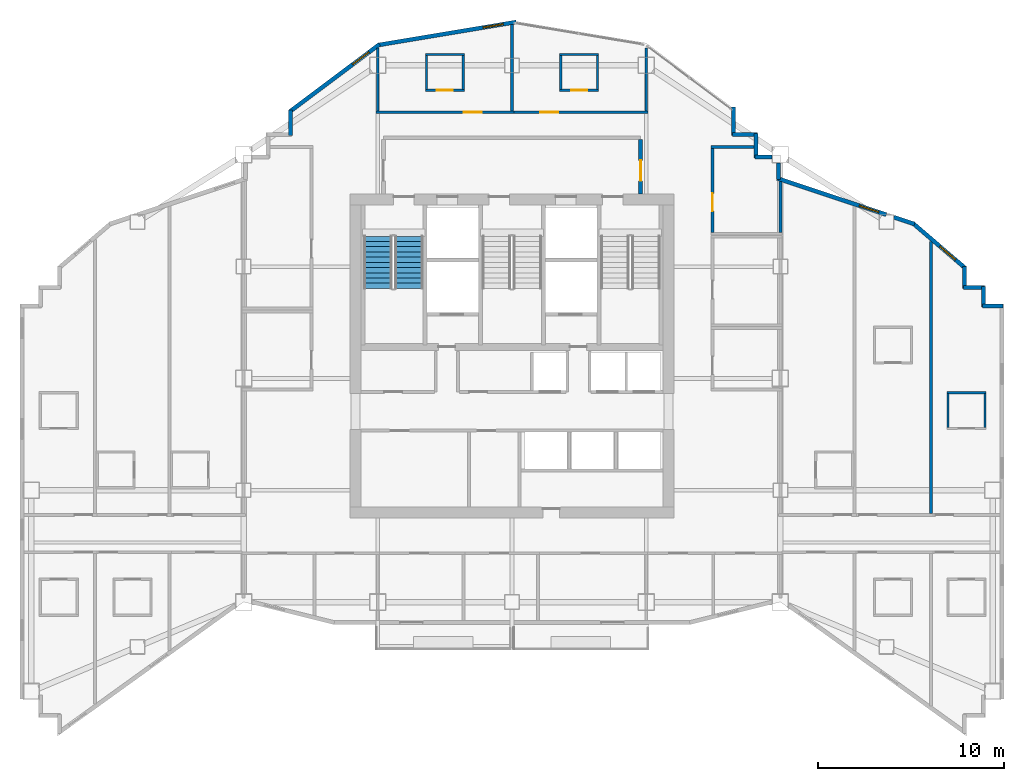
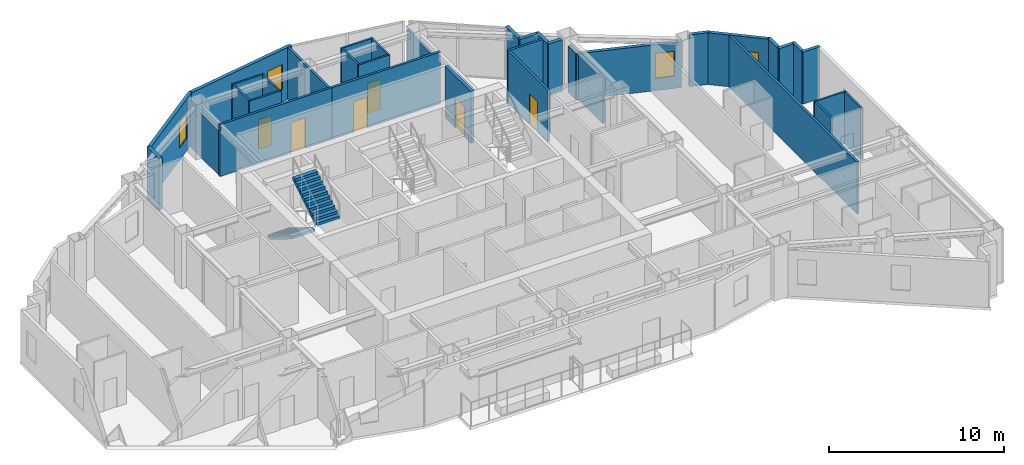
# One storey, part 9 of 11: 36 walls, 6 doors, 4 windows, 2 stair flights, 10 openings, 1 element without a shape of its own.
"""IFC4 building model written with IfcOpenShell, lengths in metres."""

from ifc_helpers import new_model, si_unit, direction, frame, frame_2d, origin, place, context, subcontext, project, spatial, polyline, rectangle, outline, extrude, material, layer, layer_set, type_object, element, fill, aggregate, save


model = new_model("IFC4")

# Units and contexts
model_context = context("Model", 3, precision=1e-05, world=origin(), true_north=direction((0.0, 1.0)))
body_context = subcontext(model_context, "Body", "Model", "MODEL_VIEW")
ifc_project = project(units=[si_unit("LENGTHUNIT", "METRE"), si_unit("AREAUNIT", "SQUARE_METRE"), si_unit("VOLUMEUNIT", "CUBIC_METRE"), si_unit("PLANEANGLEUNIT", "RADIAN"), si_unit("MASSUNIT", "GRAM", prefix="KILO")], contexts=[model_context])

# Site, building, storey
site_placement = place(None, origin())
site = spatial("IfcSite", under=ifc_project, at=site_placement, CompositionType="ELEMENT")
building_placement = place(site_placement, origin())
building = spatial("IfcBuilding", under=site, at=building_placement, Name="Haolan Belvedere Tower", CompositionType="ELEMENT")
storey_placement = place(building_placement, frame((0.0, 0.0, 191.800048828125)))
storey = spatial("IfcBuildingStorey", under=building, at=storey_placement, Name="L48", CompositionType="ELEMENT", Elevation=191.800048828125)

# Walls
ifc_material_1 = material(Name="Precast concrete C40/50", Category="concrete")
ifc_layer_1 = layer(ifc_material_1, 0.219970703125, Name="Precast concrete C40/50")
ifc_layer_set_1 = layer_set([ifc_layer_1], Name="Precast concrete C40/50")
wall_type_1 = type_object("IfcWallType", Name="WL-EXT-220", PredefinedType="SOLIDWALL", material=ifc_layer_set_1)
wall_1_placement = place(storey_placement, frame((64.7451171875, 37.489990234375, 0.0), z_axis=(0.0, 0.0, 1.0), x_axis=(-1.0, 0.0, 0.0)))
element("IfcWall", 1, at=wall_1_placement, inside=storey, type_object=wall_type_1, Name="L48 pale-metal exterior spandrel wall 9.1", PredefinedType="SOLIDWALL", context=body_context, shape_type="SweptSolid", body=[
    extrude(rectangle(XDim=1.110107421875, YDim=0.219970703125, at=frame_2d((0.55517578125, 0.0))), origin(), (0.0, 0.0, 1.0), 3.619873046875),
])
wall_2_placement = place(storey_placement, frame((63.68994140625, 37.43505859375, 0.0), z_axis=(0.0, 0.0, 1.0), x_axis=(0.0, 1.0, 0.0)))
element("IfcWall", 2, at=wall_2_placement, inside=storey, type_object=wall_type_1, Name="L48 pale-metal exterior spandrel wall 10.1", PredefinedType="SOLIDWALL", context=body_context, shape_type="SweptSolid", body=[
    extrude(rectangle(XDim=1.10986328125, YDim=0.219970703125, at=frame_2d((0.554931640625, 0.0))), origin(), (0.0, 0.0, 1.0), 3.619873046875),
])
wall_3_placement = place(storey_placement, frame((63.7451171875, 38.489990234375, 0.0), z_axis=(0.0, 0.0, 1.0), x_axis=(-1.0, 0.0, 0.0)))
element("IfcWall", 3, at=wall_3_placement, inside=storey, type_object=wall_type_1, Name="L48 pale-metal exterior spandrel wall 11.1", PredefinedType="SOLIDWALL", context=body_context, shape_type="SweptSolid", body=[
    extrude(rectangle(XDim=1.110107421875, YDim=0.219970703125, at=frame_2d((0.55517578125, 0.0))), origin(), (0.0, 0.0, 1.0), 3.619873046875),
])
wall_4_placement = place(storey_placement, frame((62.68994140625, 38.43505859375, 0.0), z_axis=(0.0, 0.0, 1.0), x_axis=(0.0, 1.0, 0.0)))
element("IfcWall", 4, at=wall_4_placement, inside=storey, type_object=wall_type_1, Name="L48 pale-metal exterior spandrel wall 12.1", PredefinedType="SOLIDWALL", context=body_context, shape_type="SweptSolid", body=[
    extrude(rectangle(XDim=1.16943359375, YDim=0.219970703125, at=frame_2d((0.584716796875, 0.0))), origin(), (0.0, 0.0, 1.0), 3.619873046875),
])

# Wall, opening, window
wall_5_placement = place(storey_placement, frame((62.731689453125, 39.513671875, 0.0), z_axis=(0.0, 0.0, 1.0), x_axis=(-0.759251976569, 0.65079677018, 0.0)))
wall_5 = element("IfcWall", 5, at=wall_5_placement, inside=storey, type_object=wall_type_1, Name="L48 pale-metal exterior spandrel wall 13.1", PredefinedType="SOLIDWALL", context=body_context, shape_type="SweptSolid", body=[
    extrude(rectangle(XDim=3.7255859375, YDim=0.219970703125, at=frame_2d((1.86279296875, 0.0))), origin(), (0.0, 0.0, 1.0), 3.619873046875),
])
opening_1_placement = place(wall_5_placement, frame((0.699951171875, 0.0, 0.85009765625)))
opening_1 = element("IfcOpeningElement", 6, at=opening_1_placement, cuts=wall_5, Name="Opening W-03", PredefinedType="OPENING", context=body_context, shape_type="SweptSolid", body=[
    extrude(rectangle(XDim=1.10009765625, YDim=1.75, at=frame_2d((0.550048828125, 0.875))), frame((0.0, 0.119873046875, 0.0), z_axis=(0.0, -1.0, 0.0), x_axis=(1.0, 0.0, 0.0)), (0.0, 0.0, 1.0), 0.239990234375),
])
ifc_material_2 = material(Name="Anodised aluminium 6063-T6 and Low-E glass", Category="aluminium")
window_type = type_object("IfcWindowType", Name="WN-DECO-Z3", PartitioningType="SINGLE_PANEL", PredefinedType="WINDOW", material=ifc_material_2)
window_1_placement = place(opening_1_placement, origin())
window_1 = element("IfcWindow", 7, at=window_1_placement, inside=storey, type_object=window_type, Name="L48 Art Deco chevron window 1", OverallHeight=1.75, OverallWidth=1.10009765625, PartitioningType="SINGLE_PANEL", PredefinedType="WINDOW", context=body_context, shape_type="SweptSolid", body=[
    extrude(rectangle(XDim=1.10009765625, YDim=1.75, at=frame_2d((0.550048828125, 0.875))), frame((0.0, 0.030029296875, 0.0), z_axis=(0.0, -1.0, 0.0), x_axis=(1.0, 0.0, 0.0)), (0.0, 0.0, 1.0), 0.06005859375),
])
fill(opening_1, window_1)

# Wall
wall_6_placement = place(storey_placement, frame((59.9970703125, 41.885009765625, 0.0), z_axis=(0.0, 0.0, 1.0), x_axis=(-0.948662335685, 0.316290646166, 0.0)))
element("IfcWall", 8, at=wall_6_placement, inside=storey, type_object=wall_type_1, Name="L48 pale-metal exterior spandrel wall 14.1", PredefinedType="SOLIDWALL", context=body_context, shape_type="SweptSolid", body=[
    extrude(rectangle(XDim=1.164794921875, YDim=0.219970703125, at=frame_2d((0.58251953125, 0.0))), origin(), (0.0, 0.0, 1.0), 3.619873046875),
])

# Wall, opening, window
wall_7_placement = place(storey_placement, frame((58.476318359375, 42.39208984375, 0.0), z_axis=(0.0, 0.0, 1.0), x_axis=(-0.948691231611, 0.316203964339, 0.0)))
wall_7 = element("IfcWall", 9, at=wall_7_placement, inside=storey, type_object=wall_type_1, Name="L48 pale-metal exterior spandrel wall 14.2", PredefinedType="SOLIDWALL", context=body_context, shape_type="SweptSolid", body=[
    extrude(rectangle(XDim=6.154296875, YDim=0.219970703125, at=frame_2d((3.0771484375, 0.0))), origin(), (0.0, 0.0, 1.0), 3.21484375),
])
opening_2_placement = place(wall_7_placement, frame((0.419189453125, 0.0, 0.85009765625)))
opening_2 = element("IfcOpeningElement", 10, at=opening_2_placement, cuts=wall_7, Name="Opening W-03", PredefinedType="OPENING", context=body_context, shape_type="SweptSolid", body=[
    extrude(rectangle(XDim=1.10009765625, YDim=1.75, at=frame_2d((0.550048828125, 0.875))), frame((0.0, 0.119873046875, 0.0), z_axis=(0.0, -1.0, 0.0), x_axis=(1.0, 0.0, 0.0)), (0.0, 0.0, 1.0), 0.239990234375),
])
window_2_placement = place(opening_2_placement, origin())
window_2 = element("IfcWindow", 11, at=window_2_placement, inside=storey, type_object=window_type, Name="L48 Art Deco chevron window 1", OverallHeight=1.75, OverallWidth=1.10009765625, PartitioningType="SINGLE_PANEL", PredefinedType="WINDOW", context=body_context, shape_type="SweptSolid", body=[
    extrude(rectangle(XDim=1.10009765625, YDim=1.75, at=frame_2d((0.550048828125, 0.875))), frame((0.0, 0.030029296875, 0.0), z_axis=(0.0, -1.0, 0.0), x_axis=(1.0, 0.0, 0.0)), (0.0, 0.0, 1.0), 0.06005859375),
])
fill(opening_2, window_2)

# Walls
wall_8_placement = place(storey_placement, frame((52.68994140625, 44.265625, 0.0), z_axis=(0.0, 0.0, 1.0), x_axis=(0.0, 1.0, 0.0)))
element("IfcWall", 12, at=wall_8_placement, inside=storey, type_object=wall_type_1, Name="L48 pale-metal exterior spandrel wall 15.1", PredefinedType="SOLIDWALL", context=body_context, shape_type="SweptSolid", body=[
    extrude(rectangle(XDim=0.892333984375, YDim=0.219970703125, at=frame_2d((0.4462890625, 0.0))), origin(), (0.0, 0.0, 1.0), 3.21484375),
])
wall_9_placement = place(storey_placement, frame((52.35791015625, 45.489990234375, 0.0), z_axis=(0.0, 0.0, 1.0), x_axis=(-1.0, 0.0, 0.0)))
element("IfcWall", 13, at=wall_9_placement, inside=storey, type_object=wall_type_1, Name="L48 pale-metal exterior spandrel wall 16.1", PredefinedType="SOLIDWALL", context=body_context, shape_type="SweptSolid", body=[
    extrude(rectangle(XDim=0.9228515625, YDim=0.219970703125, at=frame_2d((0.46142578125, 0.0))), origin(), (0.0, 0.0, 1.0), 3.619873046875),
])
wall_10_placement = place(storey_placement, frame((51.489990234375, 45.43505859375, 0.0), z_axis=(0.0, 0.0, 1.0), x_axis=(0.0, 1.0, 0.0)))
element("IfcWall", 14, at=wall_10_placement, inside=storey, type_object=wall_type_1, Name="L48 pale-metal exterior spandrel wall 17.1", PredefinedType="SOLIDWALL", context=body_context, shape_type="SweptSolid", body=[
    extrude(rectangle(XDim=1.31005859375, YDim=0.219970703125, at=frame_2d((0.655029296875, 0.0))), origin(), (0.0, 0.0, 1.0), 3.619873046875),
])
wall_11_placement = place(storey_placement, frame((51.544921875, 46.68994140625, 0.0), z_axis=(0.0, 0.0, 1.0), x_axis=(-1.0, 0.0, 0.0)))
element("IfcWall", 15, at=wall_11_placement, inside=storey, type_object=wall_type_1, Name="L48 pale-metal exterior spandrel wall 18.1", PredefinedType="SOLIDWALL", context=body_context, shape_type="SweptSolid", body=[
    extrude(rectangle(XDim=1.309814453125, YDim=0.219970703125, at=frame_2d((0.65478515625, 0.0))), origin(), (0.0, 0.0, 1.0), 3.619873046875),
])
wall_12_placement = place(storey_placement, frame((50.2900390625, 46.635009765625, 0.0), z_axis=(0.0, 0.0, 1.0), x_axis=(0.0, 1.0, 0.0)))
element("IfcWall", 16, at=wall_12_placement, inside=storey, type_object=wall_type_1, Name="L48 pale-metal exterior spandrel wall 19.1", PredefinedType="SOLIDWALL", context=body_context, shape_type="SweptSolid", body=[
    extrude(rectangle(XDim=1.534912109375, YDim=0.219970703125, at=frame_2d((0.767578125, 0.0))), origin(), (0.0, 0.0, 1.0), 3.619873046875),
])

# Wall, opening, window
wall_13_placement = place(storey_placement, frame((38.621826171875, 52.7255859375, 0.0), z_axis=(0.0, 0.0, 1.0), x_axis=(-0.986390420428, -0.164420006349, 0.0)))
wall_13 = element("IfcWall", 17, at=wall_13_placement, inside=storey, type_object=wall_type_1, Name="L48 pale-metal exterior spandrel wall 22.1", PredefinedType="SOLIDWALL", context=body_context, shape_type="SweptSolid", body=[
    extrude(rectangle(XDim=7.5341796875, YDim=0.219970703125, at=frame_2d((3.76708984375, 0.0))), origin(), (0.0, 0.0, 1.0), 3.619873046875),
])
opening_3_placement = place(wall_13_placement, frame((0.699951171875, 0.0, 0.85009765625)))
opening_3 = element("IfcOpeningElement", 18, at=opening_3_placement, cuts=wall_13, Name="Opening W-03", PredefinedType="OPENING", context=body_context, shape_type="SweptSolid", body=[
    extrude(rectangle(XDim=1.10009765625, YDim=1.75, at=frame_2d((0.550048828125, 0.875))), frame((0.0, 0.119873046875, 0.0), z_axis=(0.0, -1.0, 0.0), x_axis=(1.0, 0.0, 0.0)), (0.0, 0.0, 1.0), 0.239990234375),
])
window_3_placement = place(opening_3_placement, origin())
window_3 = element("IfcWindow", 19, at=window_3_placement, inside=storey, type_object=window_type, Name="L48 Art Deco chevron window 1", OverallHeight=1.75, OverallWidth=1.10009765625, PartitioningType="SINGLE_PANEL", PredefinedType="WINDOW", context=body_context, shape_type="SweptSolid", body=[
    extrude(rectangle(XDim=1.10009765625, YDim=1.75, at=frame_2d((0.550048828125, 0.875))), frame((0.0, 0.030029296875, 0.0), z_axis=(0.0, -1.0, 0.0), x_axis=(1.0, 0.0, 0.0)), (0.0, 0.0, 1.0), 0.06005859375),
])
fill(opening_3, window_3)

wall_14_placement = place(storey_placement, frame((31.28857421875, 51.52880859375, 0.0), z_axis=(0.0, 0.0, 1.0), x_axis=(-0.800014580093, -0.599980559383, 0.0)))
wall_14 = element("IfcWall", 20, at=wall_14_placement, inside=storey, type_object=wall_type_1, Name="L48 pale-metal exterior spandrel wall 23.1", PredefinedType="SOLIDWALL", context=body_context, shape_type="SweptSolid", body=[
    extrude(rectangle(XDim=6.028076171875, YDim=0.219970703125, at=frame_2d((3.01416015625, 0.0))), origin(), (0.0, 0.0, 1.0), 3.619873046875),
])
opening_4_placement = place(wall_14_placement, frame((0.699951171875, 0.0, 0.85009765625)))
opening_4 = element("IfcOpeningElement", 21, at=opening_4_placement, cuts=wall_14, Name="Opening W-03", PredefinedType="OPENING", context=body_context, shape_type="SweptSolid", body=[
    extrude(rectangle(XDim=1.10009765625, YDim=1.75, at=frame_2d((0.550048828125, 0.875))), frame((0.0, 0.119873046875, 0.0), z_axis=(0.0, -1.0, 0.0), x_axis=(1.0, 0.0, 0.0)), (0.0, 0.0, 1.0), 0.239990234375),
])
window_4_placement = place(opening_4_placement, origin())
window_4 = element("IfcWindow", 22, at=window_4_placement, inside=storey, type_object=window_type, Name="L48 Art Deco chevron window 1", OverallHeight=1.75, OverallWidth=1.10009765625, PartitioningType="SINGLE_PANEL", PredefinedType="WINDOW", context=body_context, shape_type="SweptSolid", body=[
    extrude(rectangle(XDim=1.10009765625, YDim=1.75, at=frame_2d((0.550048828125, 0.875))), frame((0.0, 0.030029296875, 0.0), z_axis=(0.0, -1.0, 0.0), x_axis=(1.0, 0.0, 0.0)), (0.0, 0.0, 1.0), 0.06005859375),
])
fill(opening_4, window_4)

# Wall
wall_15_placement = place(storey_placement, frame((26.510009765625, 48.0, 0.0), z_axis=(0.0, 0.0, 1.0), x_axis=(0.0, -1.0, 0.0)))
element("IfcWall", 23, at=wall_15_placement, inside=storey, type_object=wall_type_1, Name="L48 pale-metal exterior spandrel wall 24.1", PredefinedType="SOLIDWALL", context=body_context, shape_type="SweptSolid", body=[
    extrude(rectangle(XDim=1.364990234375, YDim=0.219970703125, at=frame_2d((0.6826171875, 0.0))), origin(), (0.0, 0.0, 1.0), 3.619873046875),
])

# Wall, opening, door
ifc_material_3 = material(Name="Concrete C40/50", Category="concrete")
ifc_layer_2 = layer(ifc_material_3, 0.199951171875, Name="Concrete C40/50")
ifc_layer_set_2 = layer_set([ifc_layer_2], Name="Concrete C40/50")
wall_type_2 = type_object("IfcWallType", Name="WL-FIRE-200", PredefinedType="SOLIDWALL", material=ifc_layer_set_2)
wall_16_placement = place(storey_placement, frame((45.300048828125, 43.5, 0.0), z_axis=(0.0, 0.0, 1.0), x_axis=(0.0, 1.0, 0.0)))
wall_16 = element("IfcWall", 24, at=wall_16_placement, inside=storey, type_object=wall_type_2, Name="L48 interior partition IW-L48-FFL-E", PredefinedType="SOLIDWALL", context=body_context, shape_type="SweptSolid", body=[
    extrude(rectangle(XDim=2.93505859375, YDim=0.199951171875, at=frame_2d((1.467529296875, 0.0))), origin(), (0.0, 0.0, 1.0), 3.619873046875),
])
opening_5_placement = place(wall_16_placement, frame((0.699951171875, 0.0, 0.0)))
opening_5 = element("IfcOpeningElement", 25, at=opening_5_placement, cuts=wall_16, Name="Opening FD-03", PredefinedType="OPENING", context=body_context, shape_type="SweptSolid", body=[
    extrude(rectangle(XDim=1.10009765625, YDim=2.14990234375, at=frame_2d((0.550048828125, 1.074951171875))), frame((0.0, 0.10986328125, 0.0), z_axis=(0.0, -1.0, 0.0), x_axis=(1.0, 0.0, 0.0)), (0.0, 0.0, 1.0), 0.219970703125),
])
ifc_material_4 = material(Name="Galvanised fire-rated steel", Category="steel")
door_type_1 = type_object("IfcDoorType", Name="DR-FD90-1100", OperationType="NOTDEFINED", PredefinedType="DOOR", material=ifc_material_4)
door_1_placement = place(opening_5_placement, origin())
door_1 = element("IfcDoor", 26, at=door_1_placement, inside=storey, type_object=door_type_1, Name="L48 door ID-L48-FFL-DE", OperationType="SINGLE_SWING_RIGHT", OverallHeight=2.14990234375, OverallWidth=1.10009765625, PredefinedType="DOOR", context=body_context, shape_type="SweptSolid", body=[
    extrude(rectangle(XDim=1.10009765625, YDim=2.14990234375, at=frame_2d((0.550048828125, 1.074951171875))), frame((0.0, 0.02490234375, 0.0), z_axis=(0.0, -1.0, 0.0), x_axis=(1.0, 0.0, 0.0)), (0.0, 0.0, 1.0), 0.050048828125),
])
fill(opening_5, door_1)

# Wall
ifc_material_5 = material(Name="Double gypsum acoustic stud partition", Category="masonry")
ifc_layer_3 = layer(ifc_material_5, 0.14990234375, Name="Double gypsum acoustic stud partition")
ifc_layer_set_3 = layer_set([ifc_layer_3], Name="Double gypsum acoustic stud partition")
wall_type_3 = type_object("IfcWallType", Name="WL-PART-150", PredefinedType="PARTITIONING", material=ifc_layer_set_3)
wall_17_placement = place(storey_placement, frame((49.080078125, 46.02001953125, 0.0), z_axis=(0.0, 0.0, 1.0), x_axis=(1.0, 0.0, 0.0)))
element("IfcWall", 27, at=wall_17_placement, inside=storey, type_object=wall_type_3, Name="L48 interior partition IW-L48-PNT-N", PredefinedType="PARTITIONING", context=body_context, shape_type="SweptSolid", body=[
    extrude(rectangle(XDim=2.307861328125, YDim=0.14990234375, at=frame_2d((1.15380859375, 0.0))), origin(), (0.0, 0.0, 1.0), 3.619873046875),
])

# Wall, opening, door
wall_18_placement = place(storey_placement, frame((49.159912109375, 41.419921875, 0.0), z_axis=(0.0, 0.0, 1.0), x_axis=(0.0, 1.0, 0.0)))
wall_18 = element("IfcWall", 28, at=wall_18_placement, inside=storey, type_object=wall_type_3, Name="L48 interior partition IW-L48-PNT-W", PredefinedType="PARTITIONING", context=body_context, shape_type="SweptSolid", body=[
    extrude(rectangle(XDim=4.5400390625, YDim=0.14990234375, at=frame_2d((2.27001953125, 0.0))), origin(), (0.0, 0.0, 1.0), 3.619873046875),
])
opening_6_placement = place(wall_18_placement, frame((1.159912109375, 0.0, 0.0)))
opening_6 = element("IfcOpeningElement", 29, at=opening_6_placement, cuts=wall_18, Name="Opening ID-03", PredefinedType="OPENING", context=body_context, shape_type="SweptSolid", body=[
    extrude(rectangle(XDim=0.949951171875, YDim=2.1201171875, at=frame_2d((0.47509765625, 1.06005859375))), frame((0.0, 0.0849609375, 0.0), z_axis=(0.0, -1.0, 0.0), x_axis=(1.0, 0.0, 0.0)), (0.0, 0.0, 1.0), 0.169921875),
])
ifc_material_6 = material(Name="Painted solid-core timber", Category="wood")
door_type_2 = type_object("IfcDoorType", Name="DR-INT-950", OperationType="NOTDEFINED", PredefinedType="DOOR", material=ifc_material_6)
door_2_placement = place(opening_6_placement, origin())
door_2 = element("IfcDoor", 30, at=door_2_placement, inside=storey, type_object=door_type_2, Name="L48 door ID-L48-PNT", OperationType="SINGLE_SWING_LEFT", OverallHeight=2.1201171875, OverallWidth=0.949951171875, PredefinedType="DOOR", context=body_context, shape_type="SweptSolid", body=[
    extrude(rectangle(XDim=0.949951171875, YDim=2.1201171875, at=frame_2d((0.47509765625, 1.06005859375))), frame((0.0, 0.02490234375, 0.0), z_axis=(0.0, -1.0, 0.0), x_axis=(1.0, 0.0, 0.0)), (0.0, 0.0, 1.0), 0.050048828125),
])
fill(opening_6, door_2)

# Wall
wall_19_placement = place(storey_placement, frame((52.800048828125, 41.419921875, 0.0), z_axis=(0.0, 0.0, 1.0), x_axis=(0.0, 1.0, 0.0)))
element("IfcWall", 31, at=wall_19_placement, inside=storey, type_object=wall_type_3, Name="L48 interior partition IW-L48-PNT-E", PredefinedType="PARTITIONING", context=body_context, shape_type="SweptSolid", body=[
    extrude(rectangle(XDim=2.756591796875, YDim=0.14990234375, at=frame_2d((1.37841796875, 0.0))), origin(), (0.0, 0.0, 1.0), 3.21484375),
])

# Wall, opening, door
wall_20_placement = place(storey_placement, frame((31.10009765625, 47.8798828125, 0.0), z_axis=(0.0, 0.0, 1.0), x_axis=(1.0, 0.0, 0.0)))
wall_20 = element("IfcWall", 32, at=wall_20_placement, inside=storey, type_object=wall_type_3, Name="L48 interior partition IW-L48-KN2-S", PredefinedType="PARTITIONING", context=body_context, shape_type="SweptSolid", body=[
    extrude(rectangle(XDim=7.39990234375, YDim=0.14990234375, at=frame_2d((3.699951171875, 0.0))), origin(), (0.0, 0.0, 1.0), 3.619873046875),
])
opening_7_placement = place(wall_20_placement, frame((4.713623046875, 0.0, 0.0)))
opening_7 = element("IfcOpeningElement", 33, at=opening_7_placement, cuts=wall_20, Name="Opening ID-02", PredefinedType="OPENING", context=body_context, shape_type="SweptSolid", body=[
    extrude(rectangle(XDim=0.949951171875, YDim=2.14990234375, at=frame_2d((0.47509765625, 1.074951171875))), frame((0.0, 0.0849609375, 0.0), z_axis=(0.0, -1.0, 0.0), x_axis=(1.0, 0.0, 0.0)), (0.0, 0.0, 1.0), 0.169921875),
])
ifc_material_7 = material(Name="Acoustic oak veneer fire-rated timber", Category="wood")
door_type_3 = type_object("IfcDoorType", Name="DR-GUEST-950", OperationType="NOTDEFINED", PredefinedType="DOOR", material=ifc_material_7)
door_3_placement = place(opening_7_placement, origin())
door_3 = element("IfcDoor", 34, at=door_3_placement, inside=storey, type_object=door_type_3, Name="L48 door ID-L48-KN2-ENT", OperationType="SINGLE_SWING_RIGHT", OverallHeight=2.14990234375, OverallWidth=0.949951171875, PredefinedType="DOOR", context=body_context, shape_type="SweptSolid", body=[
    extrude(rectangle(XDim=0.949951171875, YDim=2.14990234375, at=frame_2d((0.47509765625, 1.074951171875))), frame((0.0, 0.02490234375, 0.0), z_axis=(0.0, -1.0, 0.0), x_axis=(1.0, 0.0, 0.0)), (0.0, 0.0, 1.0), 0.050048828125),
])
fill(opening_7, door_3)

# Walls
wall_21_placement = place(storey_placement, frame((31.199951171875, 47.93994140625, 0.0), z_axis=(0.0, 0.0, 1.0), x_axis=(0.0, 1.0, 0.0)))
element("IfcWall", 35, at=wall_21_placement, inside=storey, type_object=wall_type_3, Name="L48 interior partition IW-L48-KN2-W", PredefinedType="PARTITIONING", context=body_context, shape_type="SweptSolid", body=[
    extrude(rectangle(XDim=3.39501953125, YDim=0.14990234375, at=frame_2d((1.697509765625, 0.0))), origin(), (0.0, 0.0, 1.0), 3.10498046875),
])
wall_22_placement = place(storey_placement, frame((38.39990234375, 47.93994140625, 0.0), z_axis=(0.0, 0.0, 1.0), x_axis=(0.0, 1.0, 0.0)))
element("IfcWall", 36, at=wall_22_placement, inside=storey, type_object=wall_type_3, Name="L48 interior partition IW-L48-KN2-E", PredefinedType="PARTITIONING", context=body_context, shape_type="SweptSolid", body=[
    extrude(rectangle(XDim=4.645263671875, YDim=0.14990234375, at=frame_2d((2.32275390625, 0.0))), origin(), (0.0, 0.0, 1.0), 3.619873046875),
])

# Wall, opening, door
wall_23_placement = place(storey_placement, frame((38.501953125, 47.8798828125, 0.0), z_axis=(0.0, 0.0, 1.0), x_axis=(1.0, 0.0, 0.0)))
wall_23 = element("IfcWall", 37, at=wall_23_placement, inside=storey, type_object=wall_type_3, Name="L48 interior partition IW-L48-KN3-S", PredefinedType="PARTITIONING", context=body_context, shape_type="SweptSolid", body=[
    extrude(rectangle(XDim=7.197998046875, YDim=0.14990234375, at=frame_2d((3.59912109375, 0.0))), origin(), (0.0, 0.0, 1.0), 3.619873046875),
])
opening_8_placement = place(wall_23_placement, frame((1.41748046875, 0.0, 0.0)))
opening_8 = element("IfcOpeningElement", 38, at=opening_8_placement, cuts=wall_23, Name="Opening ID-02", PredefinedType="OPENING", context=body_context, shape_type="SweptSolid", body=[
    extrude(rectangle(XDim=0.949951171875, YDim=2.14990234375, at=frame_2d((0.47509765625, 1.074951171875))), frame((0.0, 0.0849609375, 0.0), z_axis=(0.0, -1.0, 0.0), x_axis=(1.0, 0.0, 0.0)), (0.0, 0.0, 1.0), 0.169921875),
])
door_4_placement = place(opening_8_placement, origin())
door_4 = element("IfcDoor", 39, at=door_4_placement, inside=storey, type_object=door_type_3, Name="L48 door ID-L48-KN3-ENT", OperationType="SINGLE_SWING_LEFT", OverallHeight=2.14990234375, OverallWidth=0.949951171875, PredefinedType="DOOR", context=body_context, shape_type="SweptSolid", body=[
    extrude(rectangle(XDim=0.949951171875, YDim=2.14990234375, at=frame_2d((0.47509765625, 1.074951171875))), frame((0.0, 0.02490234375, 0.0), z_axis=(0.0, -1.0, 0.0), x_axis=(1.0, 0.0, 0.0)), (0.0, 0.0, 1.0), 0.050048828125),
])
fill(opening_8, door_4)

# Walls
wall_24_placement = place(storey_placement, frame((45.60009765625, 47.93994140625, 0.0), z_axis=(0.0, 0.0, 1.0), x_axis=(0.0, 1.0, 0.0)))
element("IfcWall", 40, at=wall_24_placement, inside=storey, type_object=wall_type_3, Name="L48 interior partition IW-L48-KN3-E", PredefinedType="PARTITIONING", context=body_context, shape_type="SweptSolid", body=[
    extrude(rectangle(XDim=3.39501953125, YDim=0.14990234375, at=frame_2d((1.697509765625, 0.0))), origin(), (0.0, 0.0, 1.0), 3.10498046875),
])
wall_25_placement = place(storey_placement, frame((60.889892578125, 26.340087890625, 0.0), z_axis=(0.0, 0.0, 1.0), x_axis=(0.0, 1.0, 0.0)))
element("IfcWall", 41, at=wall_25_placement, inside=storey, type_object=wall_type_3, Name="L48 interior partition IW-L48-T4N2-E", PredefinedType="PARTITIONING", context=body_context, shape_type="SweptSolid", body=[
    extrude(rectangle(XDim=14.617919921875, YDim=0.14990234375, at=frame_2d((7.30908203125, 0.0))), origin(), (0.0, 0.0, 1.0), 3.619873046875),
])
ifc_material_8 = material(Name="Moisture-resistant gypsum tile partition", Category="masonry")
ifc_layer_4 = layer(ifc_material_8, 0.1201171875, Name="Moisture-resistant gypsum tile partition")
ifc_layer_set_4 = layer_set([ifc_layer_4], Name="Moisture-resistant gypsum tile partition")
wall_type_4 = type_object("IfcWallType", Name="WL-WET-120", PredefinedType="PARTITIONING", material=ifc_layer_set_4)
wall_26_placement = place(storey_placement, frame((33.75, 50.97998046875, 0.0), z_axis=(0.0, 0.0, 1.0), x_axis=(1.0, 0.0, 0.0)))
element("IfcWall", 42, at=wall_26_placement, inside=storey, type_object=wall_type_4, Name="L48 interior partition IW-L48-KN2-BN", PredefinedType="PARTITIONING", context=body_context, shape_type="SweptSolid", body=[
    extrude(rectangle(XDim=2.10009765625, YDim=0.1201171875, at=frame_2d((1.050048828125, 0.0))), origin(), (0.0, 0.0, 1.0), 3.619873046875),
])

# Wall, opening, door
wall_27_placement = place(storey_placement, frame((33.75, 49.06005859375, 0.0), z_axis=(0.0, 0.0, 1.0), x_axis=(1.0, 0.0, 0.0)))
wall_27 = element("IfcWall", 43, at=wall_27_placement, inside=storey, type_object=wall_type_4, Name="L48 interior partition IW-L48-KN2-BS", PredefinedType="PARTITIONING", context=body_context, shape_type="SweptSolid", body=[
    extrude(rectangle(XDim=2.10009765625, YDim=0.1201171875, at=frame_2d((1.050048828125, 0.0))), origin(), (0.0, 0.0, 1.0), 3.619873046875),
])
opening_9_placement = place(wall_27_placement, frame((0.625, 0.0, 0.0)))
opening_9 = element("IfcOpeningElement", 44, at=opening_9_placement, cuts=wall_27, Name="Opening ID-05", PredefinedType="OPENING", context=body_context, shape_type="SweptSolid", body=[
    extrude(rectangle(XDim=0.85009765625, YDim=2.10009765625, at=frame_2d((0.425048828125, 1.050048828125))), frame((0.0, 0.070068359375, 0.0), z_axis=(0.0, -1.0, 0.0), x_axis=(1.0, 0.0, 0.0)), (0.0, 0.0, 1.0), 0.14013671875),
])
ifc_material_9 = material(Name="Moisture-resistant lacquered timber", Category="wood")
door_type_4 = type_object("IfcDoorType", Name="DR-BATH-850", OperationType="NOTDEFINED", PredefinedType="DOOR", material=ifc_material_9)
door_5_placement = place(opening_9_placement, origin())
door_5 = element("IfcDoor", 45, at=door_5_placement, inside=storey, type_object=door_type_4, Name="L48 door ID-L48-KN2-BATH", OperationType="SINGLE_SWING_LEFT", OverallHeight=2.10009765625, OverallWidth=0.85009765625, PredefinedType="DOOR", context=body_context, shape_type="SweptSolid", body=[
    extrude(rectangle(XDim=0.85009765625, YDim=2.10009765625, at=frame_2d((0.425048828125, 1.050048828125))), frame((0.0, 0.02490234375, 0.0), z_axis=(0.0, -1.0, 0.0), x_axis=(1.0, 0.0, 0.0)), (0.0, 0.0, 1.0), 0.050048828125),
])
fill(opening_9, door_5)

# Walls
for number, where, z_axis, x_axis, name in (
    (46, (33.81005859375, 49.10498046875, 0.0), (0.0, 0.0, 1.0), (0.0, 1.0, 0.0), "L48 interior partition IW-L48-KN2-BW"),
    (47, (35.7900390625, 49.10498046875, 0.0), (0.0, 0.0, 1.0), (0.0, 1.0, 0.0), "L48 interior partition IW-L48-KN2-BE"),
):
    element("IfcWall", number, at=place(storey_placement, frame(where, z_axis=z_axis, x_axis=x_axis)), inside=storey, type_object=wall_type_4, Name=name, PredefinedType="PARTITIONING", context=body_context, shape_type="SweptSolid", body=[
        extrude(rectangle(XDim=1.830078125, YDim=0.1201171875, at=frame_2d((0.9150390625, 0.0))), origin(), (0.0, 0.0, 1.0), 3.619873046875),
    ])
wall_28_placement = place(storey_placement, frame((40.949951171875, 50.97998046875, 0.0), z_axis=(0.0, 0.0, 1.0), x_axis=(1.0, 0.0, 0.0)))
element("IfcWall", 48, at=wall_28_placement, inside=storey, type_object=wall_type_4, Name="L48 interior partition IW-L48-KN3-BN", PredefinedType="PARTITIONING", context=body_context, shape_type="SweptSolid", body=[
    extrude(rectangle(XDim=2.10009765625, YDim=0.1201171875, at=frame_2d((1.050048828125, 0.0))), origin(), (0.0, 0.0, 1.0), 3.619873046875),
])

# Wall, opening, door
wall_29_placement = place(storey_placement, frame((40.949951171875, 49.06005859375, 0.0), z_axis=(0.0, 0.0, 1.0), x_axis=(1.0, 0.0, 0.0)))
wall_29 = element("IfcWall", 49, at=wall_29_placement, inside=storey, type_object=wall_type_4, Name="L48 interior partition IW-L48-KN3-BS", PredefinedType="PARTITIONING", context=body_context, shape_type="SweptSolid", body=[
    extrude(rectangle(XDim=2.10009765625, YDim=0.1201171875, at=frame_2d((1.050048828125, 0.0))), origin(), (0.0, 0.0, 1.0), 3.619873046875),
])
opening_10_placement = place(wall_29_placement, frame((0.625, 0.0, 0.0)))
opening_10 = element("IfcOpeningElement", 50, at=opening_10_placement, cuts=wall_29, Name="Opening ID-05", PredefinedType="OPENING", context=body_context, shape_type="SweptSolid", body=[
    extrude(rectangle(XDim=0.85009765625, YDim=2.10009765625, at=frame_2d((0.425048828125, 1.050048828125))), frame((0.0, 0.070068359375, 0.0), z_axis=(0.0, -1.0, 0.0), x_axis=(1.0, 0.0, 0.0)), (0.0, 0.0, 1.0), 0.14013671875),
])
door_6_placement = place(opening_10_placement, origin())
door_6 = element("IfcDoor", 51, at=door_6_placement, inside=storey, type_object=door_type_4, Name="L48 door ID-L48-KN3-BATH", OperationType="SINGLE_SWING_RIGHT", OverallHeight=2.10009765625, OverallWidth=0.85009765625, PredefinedType="DOOR", context=body_context, shape_type="SweptSolid", body=[
    extrude(rectangle(XDim=0.85009765625, YDim=2.10009765625, at=frame_2d((0.425048828125, 1.050048828125))), frame((0.0, 0.02490234375, 0.0), z_axis=(0.0, -1.0, 0.0), x_axis=(1.0, 0.0, 0.0)), (0.0, 0.0, 1.0), 0.050048828125),
])
fill(opening_10, door_6)

# Walls
for number, where, z_axis, x_axis, name in (
    (52, (41.010009765625, 49.10498046875, 0.0), (0.0, 0.0, 1.0), (0.0, 1.0, 0.0), "L48 interior partition IW-L48-KN3-BW"),
    (53, (42.989990234375, 49.10498046875, 0.0), (0.0, 0.0, 1.0), (0.0, 1.0, 0.0), "L48 interior partition IW-L48-KN3-BE"),
):
    element("IfcWall", number, at=place(storey_placement, frame(where, z_axis=z_axis, x_axis=x_axis)), inside=storey, type_object=wall_type_4, Name=name, PredefinedType="PARTITIONING", context=body_context, shape_type="SweptSolid", body=[
        extrude(rectangle(XDim=1.830078125, YDim=0.1201171875, at=frame_2d((0.9150390625, 0.0))), origin(), (0.0, 0.0, 1.0), 3.619873046875),
    ])
wall_30_placement = place(storey_placement, frame((61.737060546875, 32.8349609375, 0.0), z_axis=(0.0, 0.0, 1.0), x_axis=(1.0, 0.0, 0.0)))
element("IfcWall", 54, at=wall_30_placement, inside=storey, type_object=wall_type_4, Name="L48 interior partition IW-L48-T4N3-BN", PredefinedType="PARTITIONING", context=body_context, shape_type="SweptSolid", body=[
    extrude(rectangle(XDim=2.099853515625, YDim=0.1201171875, at=frame_2d((1.0498046875, 0.0))), origin(), (0.0, 0.0, 1.0), 3.619873046875),
])
for number, where, z_axis, x_axis, name in (
    (55, (61.797119140625, 30.9599609375, 0.0), (0.0, 0.0, 1.0), (0.0, 1.0, 0.0), "L48 interior partition IW-L48-T4N3-BW"),
    (56, (63.777099609375, 30.9599609375, 0.0), (0.0, 0.0, 1.0), (0.0, 1.0, 0.0), "L48 interior partition IW-L48-T4N3-BE"),
):
    element("IfcWall", number, at=place(storey_placement, frame(where, z_axis=z_axis, x_axis=x_axis)), inside=storey, type_object=wall_type_4, Name=name, PredefinedType="PARTITIONING", context=body_context, shape_type="SweptSolid", body=[
        extrude(rectangle(XDim=1.830078125, YDim=0.1201171875, at=frame_2d((0.9150390625, 0.0))), origin(), (0.0, 0.0, 1.0), 3.619873046875),
    ])

# Stair, stair flights
stair_type = type_object("IfcStairType", Name="STR-DL-22R-173", PredefinedType="HALF_TURN_STAIR", material=ifc_material_3)
stair_placement = place(storey_placement, origin())
stair = element("IfcStair", 57, at=stair_placement, inside=storey, type_object=stair_type, Name="L48 Smokeproof Core Exit Stair ST1", PredefinedType="HALF_TURN_STAIR")
stair_flight_type = type_object("IfcStairFlightType", Name="SFL-DL-11R-173", PredefinedType="STRAIGHT", material=ifc_material_3)
stair_flight_1_placement = place(storey_placement, frame((31.2099609375, 41.22998046875, 0.0), z_axis=(0.0, 0.0, 1.0), x_axis=(0.0, -1.0, 0.0)))
stair_flight_1 = element("IfcStairFlight", 58, at=stair_flight_1_placement, type_object=stair_flight_type, Name="ST1 flight 1", NumberOfRisers=11, NumberOfTreads=10, PredefinedType="STRAIGHT", RiserHeight=0.172727273, TreadLength=0.28, context=body_context, shape_type="SweptSolid", body=[
    extrude(outline(polyline([(0.0, 0.0), (0.0, 0.172607421875), (0.280029296875, 0.172607421875), (0.280029296875, 0.345458984375), (0.56005859375, 0.345458984375), (0.56005859375, 0.51806640625), (0.840087890625, 0.51806640625), (0.840087890625, 0.69091796875), (1.1201171875, 0.69091796875), (1.1201171875, 0.863525390625), (1.39990234375, 0.863525390625), (1.39990234375, 1.036376953125), (1.679931640625, 1.036376953125), (1.679931640625, 1.208984375), (1.9599609375, 1.208984375), (1.9599609375, 1.3818359375), (2.239990234375, 1.3818359375), (2.239990234375, 1.554443359375), (2.52001953125, 1.554443359375), (2.52001953125, 1.727294921875), (2.800048828125, 1.727294921875), (2.800048828125, 1.89990234375), (2.800048828125, 1.551025390625), (0.285400390625, 0.0), (0.0, 0.0)])), frame((0.0, 0.760009765625, 0.0), z_axis=(0.0, -1.0, 0.0), x_axis=(1.0, 0.0, 0.0)), (0.0, 0.0, 1.0), 1.52001953125),
])
stair_flight_2_placement = place(storey_placement, frame((32.8701171875, 38.429931640625, 1.89990234375), z_axis=(0.0, 0.0, 1.0), x_axis=(0.0, 1.0, 0.0)))
stair_flight_2 = element("IfcStairFlight", 59, at=stair_flight_2_placement, type_object=stair_flight_type, Name="ST1 flight 2", NumberOfRisers=11, NumberOfTreads=10, PredefinedType="STRAIGHT", RiserHeight=0.172727273, TreadLength=0.28, context=body_context, shape_type="SweptSolid", body=[
    extrude(outline(polyline([(0.0, 0.0), (0.0, 0.172607421875), (0.280029296875, 0.172607421875), (0.280029296875, 0.345458984375), (0.56005859375, 0.345458984375), (0.56005859375, 0.51806640625), (0.840087890625, 0.51806640625), (0.840087890625, 0.69091796875), (1.1201171875, 0.69091796875), (1.1201171875, 0.863525390625), (1.39990234375, 0.863525390625), (1.39990234375, 1.036376953125), (1.679931640625, 1.036376953125), (1.679931640625, 1.208984375), (1.9599609375, 1.208984375), (1.9599609375, 1.3818359375), (2.239990234375, 1.3818359375), (2.239990234375, 1.554443359375), (2.52001953125, 1.554443359375), (2.52001953125, 1.727294921875), (2.800048828125, 1.727294921875), (2.800048828125, 1.89990234375), (2.800048828125, 1.551025390625), (0.285400390625, 0.0), (0.0, 0.0)])), frame((0.0, 0.760009765625, 0.0), z_axis=(0.0, -1.0, 0.0), x_axis=(1.0, 0.0, 0.0)), (0.0, 0.0, 1.0), 1.52001953125),
])
aggregate(stair, [stair_flight_1, stair_flight_2])

save(model, "model.ifc")
